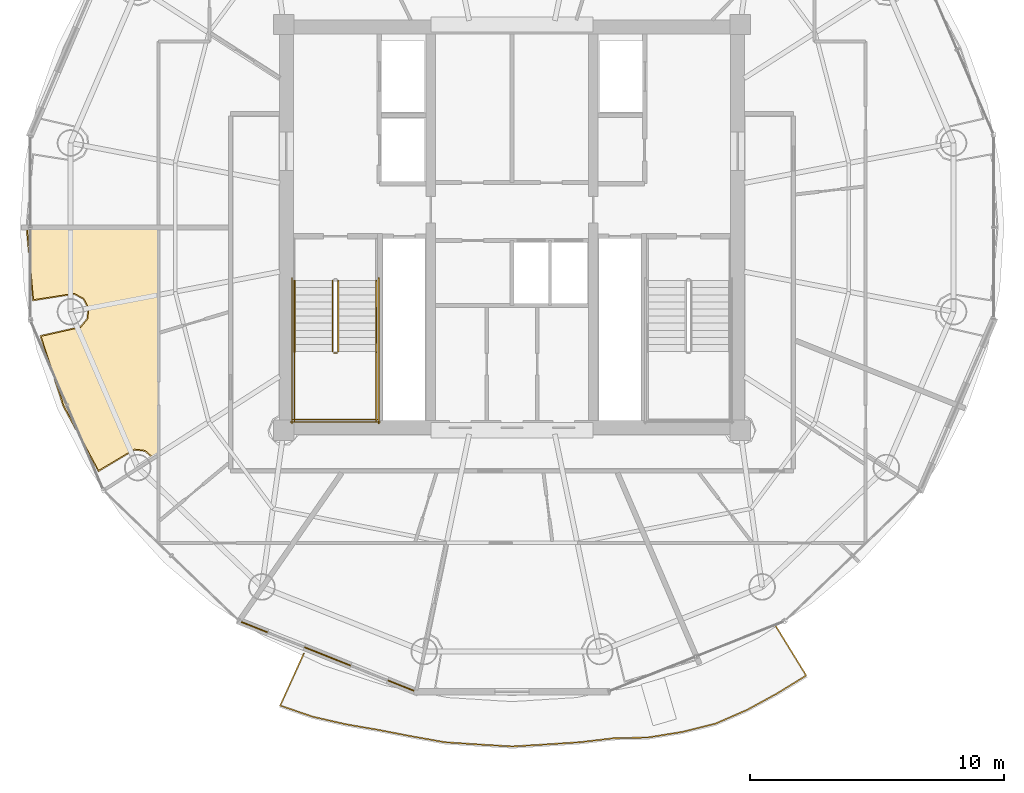
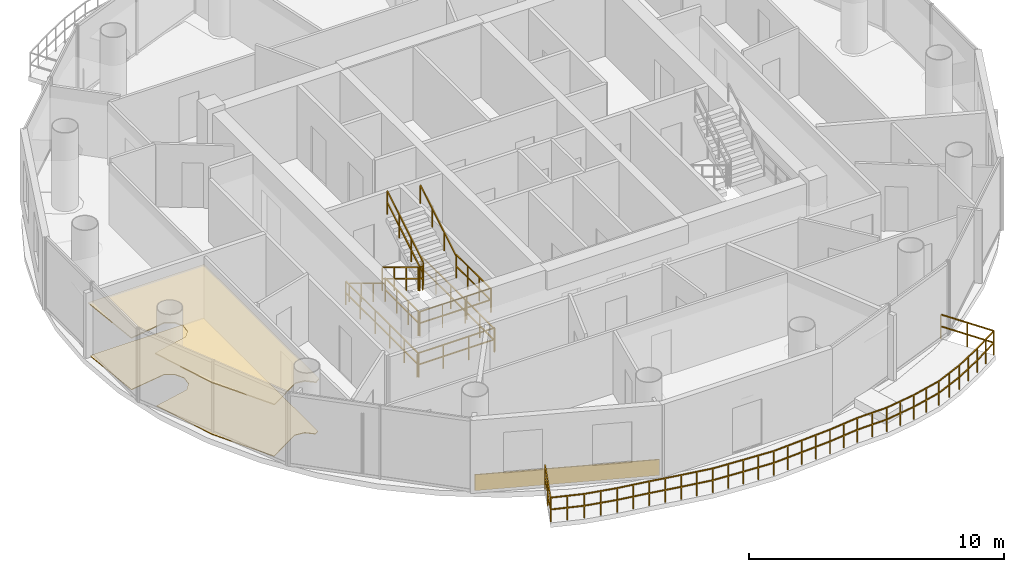
# One storey, part 22 of 24: 12 railings, 3 coverings.
"""IFC4 building model written with IfcOpenShell, lengths in metres."""

from ifc_helpers import new_model, si_unit, direction, frame, origin, origin_2d, place, context, subcontext, project, spatial, polyline, rectangle, outline, extrude, source, transform, mapped, material, layer, layer_set, type_object, element, save


model = new_model("IFC4")

# Units and contexts
model_context = context("Model", 3, precision=1e-05, world=origin(), true_north=direction((-0.2419218956, 0.970295726276)))
body_context = subcontext(model_context, "Body", "Model", "MODEL_VIEW")
ifc_project = project(units=[si_unit("LENGTHUNIT", "METRE"), si_unit("AREAUNIT", "SQUARE_METRE"), si_unit("VOLUMEUNIT", "CUBIC_METRE"), si_unit("PLANEANGLEUNIT", "RADIAN"), si_unit("MASSUNIT", "GRAM", prefix="KILO")], contexts=[model_context])

# Site, building, storey
site_placement = place(None, origin())
site = spatial("IfcSite", under=ifc_project, at=site_placement, CompositionType="ELEMENT")
building_placement = place(site_placement, origin())
building = spatial("IfcBuilding", under=site, at=building_placement, Name="Cobrevalo Terracotta Tower", CompositionType="ELEMENT")
storey_placement = place(building_placement, frame((0.0, 0.0, 274.449951171875)))
storey = spatial("IfcBuildingStorey", under=building, at=storey_placement, Name="L72", CompositionType="ELEMENT", Elevation=274.449951171875)

# Railing
ifc_material_1 = material(Name="Laminated structural glass and stainless steel", Category="steel")
railing_type_1 = type_object("IfcRailingType", Name="Balcony lobe structural glass & terracotta-cap balustrade 1180 mm", PredefinedType="BALUSTRADE", material=ifc_material_1)
railing_1_placement = place(storey_placement, frame((29.791748046875, 9.995849609375, 0.0)))
element("IfcRailing", 1, at=railing_1_placement, inside=storey, type_object=railing_type_1, Name="L72 spiralling balcony lobe balustrade 2", PredefinedType="BALUSTRADE", context=body_context, shape_type="SweptSolid", body=[
    extrude(rectangle(XDim=0.048095703125, YDim=0.048095703125, at=origin_2d()), frame((0.0, 0.0, 1.15576171875), z_axis=(-0.413394695942, -0.91055193447, 0.0), x_axis=(0.91055193447, -0.413394695942, 0.0)), (0.0, 0.0, 1.0), 2.2529296875),
    extrude(rectangle(XDim=0.048095703125, YDim=0.048095703125, at=origin_2d()), frame((0.0, 0.0, 0.58984375), z_axis=(-0.413394695942, -0.91055193447, 0.0), x_axis=(0.91055193447, -0.413394695942, 0.0)), (0.0, 0.0, 1.0), 2.2529296875),
    extrude(rectangle(XDim=0.048095703125, YDim=0.048095703125, at=origin_2d()), frame((-0.931396484375, -2.051513671875, 1.15576171875), z_axis=(0.945511914162, -0.325587500034, 0.0), x_axis=(0.325587500034, 0.945511914162, 0.0)), (0.0, 0.0, 1.0), 1.34375),
    extrude(rectangle(XDim=0.048095703125, YDim=0.048095703125, at=origin_2d()), frame((-0.931396484375, -2.051513671875, 0.58984375), z_axis=(0.945511914162, -0.325587500034, 0.0), x_axis=(0.325587500034, 0.945511914162, 0.0)), (0.0, 0.0, 1.0), 1.34375),
    extrude(rectangle(XDim=0.048095703125, YDim=0.048095703125, at=origin_2d()), frame((0.339111328125, -2.489013671875, 1.15576171875), z_axis=(0.974850628, -0.22285926745, 0.0), x_axis=(0.22285926745, 0.974850628, 0.0)), (0.0, 0.0, 1.0), 1.346435546875),
    extrude(rectangle(XDim=0.048095703125, YDim=0.048095703125, at=origin_2d()), frame((0.339111328125, -2.489013671875, 0.58984375), z_axis=(0.974850628, -0.22285926745, 0.0), x_axis=(0.22285926745, 0.974850628, 0.0)), (0.0, 0.0, 1.0), 1.346435546875),
    extrude(rectangle(XDim=0.048095703125, YDim=0.048095703125, at=origin_2d()), frame((1.651611328125, -2.7890625, 1.15576171875), z_axis=(0.985403050198, -0.170237565362, 0.0), x_axis=(0.170237565362, 0.985403050198, 0.0)), (0.0, 0.0, 1.0), 1.335205078125),
    extrude(rectangle(XDim=0.048095703125, YDim=0.048095703125, at=origin_2d()), frame((1.651611328125, -2.7890625, 0.58984375), z_axis=(0.985403050198, -0.170237565362, 0.0), x_axis=(0.170237565362, 0.985403050198, 0.0)), (0.0, 0.0, 1.0), 1.335205078125),
    extrude(rectangle(XDim=0.048095703125, YDim=0.048095703125, at=origin_2d()), frame((2.96728515625, -3.016357421875, 1.15576171875), z_axis=(0.98177874351, -0.19002762639, 0.0), x_axis=(0.19002762639, 0.98177874351, 0.0)), (0.0, 0.0, 1.0), 1.3271484375),
    extrude(rectangle(XDim=0.048095703125, YDim=0.048095703125, at=origin_2d()), frame((2.96728515625, -3.016357421875, 0.58984375), z_axis=(0.98177874351, -0.19002762639, 0.0), x_axis=(0.19002762639, 0.98177874351, 0.0)), (0.0, 0.0, 1.0), 1.3271484375),
    extrude(rectangle(XDim=0.048095703125, YDim=0.048095703125, at=origin_2d()), frame((4.270263671875, -3.2685546875, 1.15576171875), z_axis=(0.984618157919, -0.174720013438, 0.0), x_axis=(0.174720013438, 0.984618157919, 0.0)), (0.0, 0.0, 1.0), 1.326171875),
    extrude(rectangle(XDim=0.048095703125, YDim=0.048095703125, at=origin_2d()), frame((4.270263671875, -3.2685546875, 0.58984375), z_axis=(0.984618157919, -0.174720013438, 0.0), x_axis=(0.174720013438, 0.984618157919, 0.0)), (0.0, 0.0, 1.0), 1.326171875),
    extrude(rectangle(XDim=0.048095703125, YDim=0.048095703125, at=origin_2d()), frame((5.575927734375, -3.500244140625, 1.15576171875), z_axis=(0.997868933348, -0.065250224966, 0.0), x_axis=(0.065250224966, 0.997868933348, 0.0)), (0.0, 0.0, 1.0), 1.328369140625),
    extrude(rectangle(XDim=0.048095703125, YDim=0.048095703125, at=origin_2d()), frame((5.575927734375, -3.500244140625, 0.58984375), z_axis=(0.997868933348, -0.065250224966, 0.0), x_axis=(0.065250224966, 0.997868933348, 0.0)), (0.0, 0.0, 1.0), 1.328369140625),
    extrude(rectangle(XDim=0.048095703125, YDim=0.048095703125, at=origin_2d()), frame((6.9013671875, -3.5869140625, 1.15576171875), z_axis=(0.99827817547, -0.058657347205, 0.0), x_axis=(0.058657347205, 0.99827817547, 0.0)), (0.0, 0.0, 1.0), 1.32763671875),
    extrude(rectangle(XDim=0.048095703125, YDim=0.048095703125, at=origin_2d()), frame((6.9013671875, -3.5869140625, 0.58984375), z_axis=(0.99827817547, -0.058657347205, 0.0), x_axis=(0.058657347205, 0.99827817547, 0.0)), (0.0, 0.0, 1.0), 1.32763671875),
    extrude(rectangle(XDim=0.048095703125, YDim=0.048095703125, at=origin_2d()), frame((8.226806640625, -3.664794921875, 1.15576171875), z_axis=(0.998169505595, 0.060478410192, 0.0), x_axis=(-0.060478410192, 0.998169505595, 0.0)), (0.0, 0.0, 1.0), 1.328125),
    extrude(rectangle(XDim=0.048095703125, YDim=0.048095703125, at=origin_2d()), frame((8.226806640625, -3.664794921875, 0.58984375), z_axis=(0.998169505595, 0.060478410192, 0.0), x_axis=(-0.060478410192, 0.998169505595, 0.0)), (0.0, 0.0, 1.0), 1.328125),
    extrude(rectangle(XDim=0.048095703125, YDim=0.048095703125, at=origin_2d()), frame((9.552490234375, -3.58447265625, 1.15576171875), z_axis=(0.99785694905, 0.065433242561, 0.0), x_axis=(-0.065433242561, 0.99785694905, 0.0)), (0.0, 0.0, 1.0), 1.328369140625),
    extrude(rectangle(XDim=0.048095703125, YDim=0.048095703125, at=origin_2d()), frame((9.552490234375, -3.58447265625, 0.58984375), z_axis=(0.99785694905, 0.065433242561, 0.0), x_axis=(-0.065433242561, 0.99785694905, 0.0)), (0.0, 0.0, 1.0), 1.328369140625),
    extrude(rectangle(XDim=0.048095703125, YDim=0.048095703125, at=origin_2d()), frame((10.8779296875, -3.49755859375, 1.15576171875), z_axis=(0.993195668318, 0.116457564955, 0.0), x_axis=(-0.116457564955, 0.993195668318, 0.0)), (0.0, 0.0, 1.0), 1.3291015625),
    extrude(rectangle(XDim=0.048095703125, YDim=0.048095703125, at=origin_2d()), frame((10.8779296875, -3.49755859375, 0.58984375), z_axis=(0.993195668318, 0.116457564955, 0.0), x_axis=(-0.116457564955, 0.993195668318, 0.0)), (0.0, 0.0, 1.0), 1.3291015625),
    extrude(rectangle(XDim=0.048095703125, YDim=0.048095703125, at=origin_2d()), frame((12.197998046875, -3.3427734375, 1.15576171875), z_axis=(0.999733166523, 0.02309969165, 0.0), x_axis=(-0.02309969165, 0.999733166523, 0.0)), (0.0, 0.0, 1.0), 1.36328125),
    extrude(rectangle(XDim=0.048095703125, YDim=0.048095703125, at=origin_2d()), frame((12.197998046875, -3.3427734375, 0.58984375), z_axis=(0.999733166523, 0.02309969165, 0.0), x_axis=(-0.02309969165, 0.999733166523, 0.0)), (0.0, 0.0, 1.0), 1.36328125),
    extrude(rectangle(XDim=0.048095703125, YDim=0.048095703125, at=origin_2d()), frame((13.56103515625, -3.311279296875, 1.15576171875), z_axis=(0.987212821804, 0.159407792987, 0.0), x_axis=(-0.159407792987, 0.987212821804, 0.0)), (0.0, 0.0, 1.0), 1.35693359375),
    extrude(rectangle(XDim=0.048095703125, YDim=0.048095703125, at=origin_2d()), frame((13.56103515625, -3.311279296875, 0.58984375), z_axis=(0.987212821804, 0.159407792987, 0.0), x_axis=(-0.159407792987, 0.987212821804, 0.0)), (0.0, 0.0, 1.0), 1.35693359375),
    extrude(rectangle(XDim=0.048095703125, YDim=0.048095703125, at=origin_2d()), frame((14.900634765625, -3.094970703125, 1.15576171875), z_axis=(0.970812580486, 0.239839391197, 0.0), x_axis=(-0.239839391197, 0.970812580486, 0.0)), (0.0, 0.0, 1.0), 1.364013671875),
    extrude(rectangle(XDim=0.048095703125, YDim=0.048095703125, at=origin_2d()), frame((14.900634765625, -3.094970703125, 0.58984375), z_axis=(0.970812580486, 0.239839391197, 0.0), x_axis=(-0.239839391197, 0.970812580486, 0.0)), (0.0, 0.0, 1.0), 1.364013671875),
    extrude(rectangle(XDim=0.048095703125, YDim=0.048095703125, at=origin_2d()), frame((16.224853515625, -2.767822265625, 1.15576171875), z_axis=(0.916783806594, 0.399383840392, 0.0), x_axis=(-0.399383840392, 0.916783806594, 0.0)), (0.0, 0.0, 1.0), 1.357177734375),
    extrude(rectangle(XDim=0.048095703125, YDim=0.048095703125, at=origin_2d()), frame((16.224853515625, -2.767822265625, 0.58984375), z_axis=(0.916783806594, 0.399383840392, 0.0), x_axis=(-0.399383840392, 0.916783806594, 0.0)), (0.0, 0.0, 1.0), 1.357177734375),
    extrude(rectangle(XDim=0.048095703125, YDim=0.048095703125, at=origin_2d()), frame((17.468994140625, -2.225830078125, 1.15576171875), z_axis=(0.877537899171, 0.479507284114, 0.0), x_axis=(-0.479507284114, 0.877537899171, 0.0)), (0.0, 0.0, 1.0), 1.357421875),
    extrude(rectangle(XDim=0.048095703125, YDim=0.048095703125, at=origin_2d()), frame((17.468994140625, -2.225830078125, 0.58984375), z_axis=(0.877537899171, 0.479507284114, 0.0), x_axis=(-0.479507284114, 0.877537899171, 0.0)), (0.0, 0.0, 1.0), 1.357421875),
    extrude(rectangle(XDim=0.048095703125, YDim=0.048095703125, at=origin_2d()), frame((18.66015625, -1.574951171875, 1.15576171875), z_axis=(0.851739091837, 0.523966143406, 0.0), x_axis=(-0.523966143406, 0.851739091837, 0.0)), (0.0, 0.0, 1.0), 1.348876953125),
    extrude(rectangle(XDim=0.048095703125, YDim=0.048095703125, at=origin_2d()), frame((18.66015625, -1.574951171875, 0.58984375), z_axis=(0.851739091837, 0.523966143406, 0.0), x_axis=(-0.523966143406, 0.851739091837, 0.0)), (0.0, 0.0, 1.0), 1.348876953125),
    extrude(rectangle(XDim=0.048095703125, YDim=0.048095703125, at=origin_2d()), frame((19.80908203125, -0.8681640625, 1.15576171875), z_axis=(-0.523918645745, 0.851768309249, 0.0), x_axis=(-0.851768309249, -0.523918645745, 0.0)), (0.0, 0.0, 1.0), 2.362060546875),
    extrude(rectangle(XDim=0.048095703125, YDim=0.048095703125, at=origin_2d()), frame((19.80908203125, -0.8681640625, 0.58984375), z_axis=(-0.523918645745, 0.851768309249, 0.0), x_axis=(-0.851768309249, -0.523918645745, 0.0)), (0.0, 0.0, 1.0), 2.362060546875),
    extrude(rectangle(XDim=0.0419921875, YDim=0.0419921875, at=origin_2d()), origin(), (0.0, 0.0, 1.0), 1.1318359375),
    extrude(rectangle(XDim=0.0419921875, YDim=0.0419921875, at=origin_2d()), frame((-0.4658203125, -1.02587890625, 0.0)), (0.0, 0.0, 1.0), 1.1318359375),
    extrude(rectangle(XDim=0.0419921875, YDim=0.0419921875, at=origin_2d()), frame((-0.931396484375, -2.051513671875, 0.0)), (0.0, 0.0, 1.0), 1.1318359375),
    extrude(rectangle(XDim=0.0419921875, YDim=0.0419921875, at=origin_2d()), frame((-0.296142578125, -2.270263671875, 0.0)), (0.0, 0.0, 1.0), 1.1318359375),
    extrude(rectangle(XDim=0.0419921875, YDim=0.0419921875, at=origin_2d()), frame((0.339111328125, -2.489013671875, 0.0)), (0.0, 0.0, 1.0), 1.1318359375),
    extrude(rectangle(XDim=0.0419921875, YDim=0.0419921875, at=origin_2d()), frame((0.995361328125, -2.63916015625, 0.0)), (0.0, 0.0, 1.0), 1.1318359375),
    extrude(rectangle(XDim=0.0419921875, YDim=0.0419921875, at=origin_2d()), frame((1.651611328125, -2.7890625, 0.0)), (0.0, 0.0, 1.0), 1.1318359375),
    extrude(rectangle(XDim=0.0419921875, YDim=0.0419921875, at=origin_2d()), frame((2.3095703125, -2.90283203125, 0.0)), (0.0, 0.0, 1.0), 1.1318359375),
    extrude(rectangle(XDim=0.0419921875, YDim=0.0419921875, at=origin_2d()), frame((2.96728515625, -3.016357421875, 0.0)), (0.0, 0.0, 1.0), 1.1318359375),
    extrude(rectangle(XDim=0.0419921875, YDim=0.0419921875, at=origin_2d()), frame((3.61865234375, -3.142578125, 0.0)), (0.0, 0.0, 1.0), 1.1318359375),
    extrude(rectangle(XDim=0.0419921875, YDim=0.0419921875, at=origin_2d()), frame((4.270263671875, -3.2685546875, 0.0)), (0.0, 0.0, 1.0), 1.1318359375),
    extrude(rectangle(XDim=0.0419921875, YDim=0.0419921875, at=origin_2d()), frame((4.923095703125, -3.38427734375, 0.0)), (0.0, 0.0, 1.0), 1.1318359375),
    extrude(rectangle(XDim=0.0419921875, YDim=0.0419921875, at=origin_2d()), frame((5.575927734375, -3.500244140625, 0.0)), (0.0, 0.0, 1.0), 1.1318359375),
    extrude(rectangle(XDim=0.0419921875, YDim=0.0419921875, at=origin_2d()), frame((6.23876953125, -3.54345703125, 0.0)), (0.0, 0.0, 1.0), 1.1318359375),
    extrude(rectangle(XDim=0.0419921875, YDim=0.0419921875, at=origin_2d()), frame((6.9013671875, -3.5869140625, 0.0)), (0.0, 0.0, 1.0), 1.1318359375),
    extrude(rectangle(XDim=0.0419921875, YDim=0.0419921875, at=origin_2d()), frame((7.56396484375, -3.6259765625, 0.0)), (0.0, 0.0, 1.0), 1.1318359375),
    extrude(rectangle(XDim=0.0419921875, YDim=0.0419921875, at=origin_2d()), frame((8.226806640625, -3.664794921875, 0.0)), (0.0, 0.0, 1.0), 1.1318359375),
    extrude(rectangle(XDim=0.0419921875, YDim=0.0419921875, at=origin_2d()), frame((8.8896484375, -3.62451171875, 0.0)), (0.0, 0.0, 1.0), 1.1318359375),
    extrude(rectangle(XDim=0.0419921875, YDim=0.0419921875, at=origin_2d()), frame((9.552490234375, -3.58447265625, 0.0)), (0.0, 0.0, 1.0), 1.1318359375),
    extrude(rectangle(XDim=0.0419921875, YDim=0.0419921875, at=origin_2d()), frame((10.21533203125, -3.541015625, 0.0)), (0.0, 0.0, 1.0), 1.1318359375),
    extrude(rectangle(XDim=0.0419921875, YDim=0.0419921875, at=origin_2d()), frame((10.8779296875, -3.49755859375, 0.0)), (0.0, 0.0, 1.0), 1.1318359375),
    extrude(rectangle(XDim=0.0419921875, YDim=0.0419921875, at=origin_2d()), frame((11.5380859375, -3.420166015625, 0.0)), (0.0, 0.0, 1.0), 1.1318359375),
    extrude(rectangle(XDim=0.0419921875, YDim=0.0419921875, at=origin_2d()), frame((12.197998046875, -3.3427734375, 0.0)), (0.0, 0.0, 1.0), 1.1318359375),
    extrude(rectangle(XDim=0.0419921875, YDim=0.0419921875, at=origin_2d()), frame((12.87939453125, -3.3271484375, 0.0)), (0.0, 0.0, 1.0), 1.1318359375),
    extrude(rectangle(XDim=0.0419921875, YDim=0.0419921875, at=origin_2d()), frame((13.56103515625, -3.311279296875, 0.0)), (0.0, 0.0, 1.0), 1.1318359375),
    extrude(rectangle(XDim=0.0419921875, YDim=0.0419921875, at=origin_2d()), frame((14.23095703125, -3.203125, 0.0)), (0.0, 0.0, 1.0), 1.1318359375),
    extrude(rectangle(XDim=0.0419921875, YDim=0.0419921875, at=origin_2d()), frame((14.900634765625, -3.094970703125, 0.0)), (0.0, 0.0, 1.0), 1.1318359375),
    extrude(rectangle(XDim=0.0419921875, YDim=0.0419921875, at=origin_2d()), frame((15.562744140625, -2.931396484375, 0.0)), (0.0, 0.0, 1.0), 1.1318359375),
    extrude(rectangle(XDim=0.0419921875, YDim=0.0419921875, at=origin_2d()), frame((16.224853515625, -2.767822265625, 0.0)), (0.0, 0.0, 1.0), 1.1318359375),
    extrude(rectangle(XDim=0.0419921875, YDim=0.0419921875, at=origin_2d()), frame((16.846923828125, -2.496826171875, 0.0)), (0.0, 0.0, 1.0), 1.1318359375),
    extrude(rectangle(XDim=0.0419921875, YDim=0.0419921875, at=origin_2d()), frame((17.468994140625, -2.225830078125, 0.0)), (0.0, 0.0, 1.0), 1.1318359375),
    extrude(rectangle(XDim=0.0419921875, YDim=0.0419921875, at=origin_2d()), frame((18.064453125, -1.900390625, 0.0)), (0.0, 0.0, 1.0), 1.1318359375),
    extrude(rectangle(XDim=0.0419921875, YDim=0.0419921875, at=origin_2d()), frame((18.66015625, -1.574951171875, 0.0)), (0.0, 0.0, 1.0), 1.1318359375),
    extrude(rectangle(XDim=0.0419921875, YDim=0.0419921875, at=origin_2d()), frame((19.234619140625, -1.2216796875, 0.0)), (0.0, 0.0, 1.0), 1.1318359375),
    extrude(rectangle(XDim=0.0419921875, YDim=0.0419921875, at=origin_2d()), frame((19.80908203125, -0.8681640625, 0.0)), (0.0, 0.0, 1.0), 1.1318359375),
    extrude(rectangle(XDim=0.0419921875, YDim=0.0419921875, at=origin_2d()), frame((19.1904296875, 0.1376953125, 0.0)), (0.0, 0.0, 1.0), 1.1318359375),
    extrude(rectangle(XDim=0.0419921875, YDim=0.0419921875, at=origin_2d()), frame((18.571533203125, 1.143798828125, 0.0)), (0.0, 0.0, 1.0), 1.1318359375),
])

# Coverings
ifc_material_2 = material(Name="Engineered Brazilian hardwood flooring", Category="wood")
ifc_layer_1 = layer(ifc_material_2, 0.028076171875)
ifc_layer_set_1 = layer_set([ifc_layer_1], Name="Engineered Brazilian hardwood flooring")
covering_type_1 = type_object("IfcCoveringType", Name="Engineered Hardwood Suite Flooring 28", PredefinedType="FLOORING", material=ifc_layer_set_1)
covering_1_placement = place(storey_placement, origin())
element("IfcCovering", 2, at=covering_1_placement, inside=storey, type_object=covering_type_1, Name="Flat L72B Living and Dining Room floor finish", PredefinedType="FLOORING", context=body_context, shape_type="SweptSolid", body=[
    extrude(outline(polyline([(20.33544921875, 19.751220703125), (19.43505859375, 22.49951171875), (20.99755859375, 22.855224609375), (21.272705078125, 23.185302734375), (21.318115234375, 23.612548828125), (21.118408203125, 23.9931640625), (20.740966796875, 24.198486328125), (19.1357421875, 23.948974609375), (18.88134765625, 26.780029296875), (24.034912109375, 26.780029296875), (24.034912109375, 17.829345703125), (23.864501953125, 17.719482421875), (23.537109375, 18.005859375), (23.1103515625, 18.055908203125), (21.699951171875, 17.217529296875), (20.33544921875, 19.751220703125)])), origin(), (0.0, 0.0, 1.0), 0.030029296875),
])
ifc_material_3 = material(Name="Acoustic perforated gypsum ceiling", Category="gypsum")
ifc_layer_2 = layer(ifc_material_3, 0.050048828125)
ifc_layer_set_2 = layer_set([ifc_layer_2], Name="Acoustic perforated gypsum ceiling")
covering_type_2 = type_object("IfcCoveringType", Name="Perforated Acoustic Gypsum Ceiling 50", PredefinedType="CEILING", material=ifc_layer_set_2)
covering_2_placement = place(storey_placement, frame((0.0, 0.0, 2.5)))
element("IfcCovering", 3, at=covering_2_placement, inside=storey, type_object=covering_type_2, Name="Flat L72B Living and Dining Room acoustic ceiling", PredefinedType="CEILING", context=body_context, shape_type="SweptSolid", body=[
    extrude(outline(polyline([(20.2939453125, 19.7333984375), (19.3818359375, 22.53515625), (20.97265625, 22.89306640625), (21.23095703125, 23.202880859375), (21.273681640625, 23.60400390625), (21.086181640625, 23.96142578125), (20.731689453125, 24.154296875), (19.100830078125, 23.896484375), (18.833251953125, 26.824951171875), (24.080078125, 26.824951171875), (24.080078125, 17.804931640625), (23.853271484375, 17.658935546875), (23.51904296875, 17.964599609375), (23.118408203125, 18.011474609375), (21.687744140625, 17.15625), (20.2939453125, 19.7333984375)])), origin(), (0.0, 0.0, 1.0), 0.050048828125),
])

# Railings
ifc_material_4 = material(Name="Brushed stainless steel", Category="steel")
railing_type_2 = type_object("IfcRailingType", Name="Stainless Steel Stair Handrail 900", PredefinedType="HANDRAIL", material=ifc_material_4)
railing_2_placement = place(storey_placement, frame((29.425048828125, 24.699951171875, 0.17041015625)))
element("IfcRailing", 4, at=railing_2_placement, inside=storey, type_object=railing_type_2, Name="L72 ST-1 stair handrail 1", PredefinedType="HANDRAIL", context=body_context, shape_type="SweptSolid", body=[
    extrude(rectangle(XDim=0.048095703125, YDim=0.048095703125, at=origin_2d()), frame((0.0, 0.0, 0.8759765625), z_axis=(0.0, -0.854169791009, 0.51999420009), x_axis=(1.0, 0.0, 0.0)), (0.0, 0.0, 1.0), 3.278076171875),
    extrude(rectangle(XDim=0.0419921875, YDim=0.0419921875, at=origin_2d()), origin(), (0.0, 0.0, 1.0), 0.851806640625),
    extrude(rectangle(XDim=0.0419921875, YDim=0.0419921875, at=origin_2d()), frame((0.0, -0.933349609375, 0.568115234375)), (0.0, 0.0, 1.0), 0.851806640625),
    extrude(rectangle(XDim=0.0419921875, YDim=0.0419921875, at=origin_2d()), frame((0.0, -1.86669921875, 1.136474609375)), (0.0, 0.0, 1.0), 0.851806640625),
    extrude(rectangle(XDim=0.0419921875, YDim=0.0419921875, at=origin_2d()), frame((0.0, -2.800048828125, 1.70458984375)), (0.0, 0.0, 1.0), 0.851806640625),
])
railing_3_placement = place(storey_placement, frame((32.64501953125, 21.89990234375, 2.04541015625)))
element("IfcRailing", 5, at=railing_3_placement, inside=storey, type_object=railing_type_2, Name="L72 ST-1 stair handrail 2", PredefinedType="HANDRAIL", context=body_context, shape_type="SweptSolid", body=[
    extrude(rectangle(XDim=0.048095703125, YDim=0.048095703125, at=origin_2d()), frame((0.0, 0.0, 0.8759765625), z_axis=(0.0, 0.854169791009, 0.51999420009), x_axis=(-1.0, 0.0, 0.0)), (0.0, 0.0, 1.0), 3.278076171875),
    extrude(rectangle(XDim=0.0419921875, YDim=0.0419921875, at=origin_2d()), origin(), (0.0, 0.0, 1.0), 0.851806640625),
    extrude(rectangle(XDim=0.0419921875, YDim=0.0419921875, at=origin_2d()), frame((0.0, 0.933349609375, 0.568115234375)), (0.0, 0.0, 1.0), 0.851806640625),
    extrude(rectangle(XDim=0.0419921875, YDim=0.0419921875, at=origin_2d()), frame((0.0, 1.86669921875, 1.136474609375)), (0.0, 0.0, 1.0), 0.851806640625),
    extrude(rectangle(XDim=0.0419921875, YDim=0.0419921875, at=origin_2d()), frame((0.0, 2.800048828125, 1.70458984375)), (0.0, 0.0, 1.0), 0.851806640625),
])
ifc_material_5 = material(Name="Painted galvanized steel", Category="steel")
railing_type_3 = type_object("IfcRailingType", Name="Stair Well Guard Balustrade 1150", PredefinedType="GUARDRAIL", material=ifc_material_5)
railing_4_placement = place(storey_placement, frame((30.925048828125, 24.699951171875, 0.17041015625)))
element("IfcRailing", 6, at=railing_4_placement, inside=storey, type_object=railing_type_3, Name="L72 ST-1 stair guard 1", PredefinedType="GUARDRAIL", context=body_context, shape_type="SweptSolid", body=[
    extrude(rectangle(XDim=0.048095703125, YDim=0.048095703125, at=origin_2d()), frame((0.0, 0.0, 1.1259765625), z_axis=(0.0, -0.854169791009, 0.51999420009), x_axis=(1.0, 0.0, 0.0)), (0.0, 0.0, 1.0), 3.278076171875),
    extrude(rectangle(XDim=0.048095703125, YDim=0.048095703125, at=origin_2d()), frame((0.0, 0.0, 0.574951171875), z_axis=(0.0, -0.854169791009, 0.51999420009), x_axis=(1.0, 0.0, 0.0)), (0.0, 0.0, 1.0), 3.278076171875),
    extrude(rectangle(XDim=0.0419921875, YDim=0.0419921875, at=origin_2d()), origin(), (0.0, 0.0, 1.0), 1.101806640625),
    extrude(rectangle(XDim=0.0419921875, YDim=0.0419921875, at=origin_2d()), frame((0.0, -0.933349609375, 0.568115234375)), (0.0, 0.0, 1.0), 1.101806640625),
    extrude(rectangle(XDim=0.0419921875, YDim=0.0419921875, at=origin_2d()), frame((0.0, -1.86669921875, 1.136474609375)), (0.0, 0.0, 1.0), 1.101806640625),
    extrude(rectangle(XDim=0.0419921875, YDim=0.0419921875, at=origin_2d()), frame((0.0, -2.800048828125, 1.70458984375)), (0.0, 0.0, 1.0), 1.101806640625),
])
railing_5_placement = place(storey_placement, frame((30.97509765625, 21.85009765625, 1.875)))
element("IfcRailing", 7, at=railing_5_placement, inside=storey, type_object=railing_type_3, Name="L72 ST-1 stair guard 2", PredefinedType="GUARDRAIL", context=body_context, shape_type="SweptSolid", body=[
    extrude(rectangle(XDim=0.048095703125, YDim=0.048095703125, at=origin_2d()), frame((0.0, 0.0, 1.1259765625), z_axis=(1.0, 0.0, 0.0), x_axis=(0.0, 1.0, 0.0)), (0.0, 0.0, 1.0), 0.119873046875),
    extrude(rectangle(XDim=0.048095703125, YDim=0.048095703125, at=origin_2d()), frame((0.0, 0.0, 0.574951171875), z_axis=(1.0, 0.0, 0.0), x_axis=(0.0, 1.0, 0.0)), (0.0, 0.0, 1.0), 0.119873046875),
    extrude(rectangle(XDim=0.0419921875, YDim=0.0419921875, at=origin_2d()), origin(), (0.0, 0.0, 1.0), 1.101806640625),
    extrude(rectangle(XDim=0.0419921875, YDim=0.0419921875, at=origin_2d()), frame((0.119873046875, 0.0, 0.0)), (0.0, 0.0, 1.0), 1.101806640625),
])
for number, where, name in (
    (8, (29.425048828125, 21.89990234375, 1.875), "L72 ST-1 stair guard 3"),
    (9, (32.64501953125, 21.89990234375, 1.875), "L72 ST-1 stair guard 4"),
):
    element("IfcRailing", number, at=place(storey_placement, frame(where)), inside=storey, type_object=railing_type_3, Name=name, PredefinedType="GUARDRAIL", context=body_context, shape_type="SweptSolid", body=[
        extrude(rectangle(XDim=0.048095703125, YDim=0.048095703125, at=origin_2d()), frame((0.0, 0.0, 1.1259765625), z_axis=(0.0, -1.0, 0.0), x_axis=(1.0, 0.0, 0.0)), (0.0, 0.0, 1.0), 2.724853515625),
        extrude(rectangle(XDim=0.048095703125, YDim=0.048095703125, at=origin_2d()), frame((0.0, 0.0, 0.574951171875), z_axis=(0.0, -1.0, 0.0), x_axis=(1.0, 0.0, 0.0)), (0.0, 0.0, 1.0), 2.724853515625),
        extrude(rectangle(XDim=0.0419921875, YDim=0.0419921875, at=origin_2d()), origin(), (0.0, 0.0, 1.0), 1.101806640625),
        extrude(rectangle(XDim=0.0419921875, YDim=0.0419921875, at=origin_2d()), frame((0.0, -0.908203125, 0.0)), (0.0, 0.0, 1.0), 1.101806640625),
        extrude(rectangle(XDim=0.0419921875, YDim=0.0419921875, at=origin_2d()), frame((0.0, -1.816650390625, 0.0)), (0.0, 0.0, 1.0), 1.101806640625),
        extrude(rectangle(XDim=0.0419921875, YDim=0.0419921875, at=origin_2d()), frame((0.0, -2.724853515625, 0.0)), (0.0, 0.0, 1.0), 1.101806640625),
    ])
railing_6_placement = place(storey_placement, frame((29.375, 19.22509765625, 1.875)))
element("IfcRailing", 10, at=railing_6_placement, inside=storey, type_object=railing_type_3, Name="L72 ST-1 stair guard 5", PredefinedType="GUARDRAIL", context=body_context, shape_type="SweptSolid", body=[
    extrude(rectangle(XDim=0.048095703125, YDim=0.048095703125, at=origin_2d()), frame((0.0, 0.0, 1.1259765625), z_axis=(1.0, 0.0, 0.0), x_axis=(0.0, 1.0, 0.0)), (0.0, 0.0, 1.0), 3.320068359375),
    extrude(rectangle(XDim=0.048095703125, YDim=0.048095703125, at=origin_2d()), frame((0.0, 0.0, 0.574951171875), z_axis=(1.0, 0.0, 0.0), x_axis=(0.0, 1.0, 0.0)), (0.0, 0.0, 1.0), 3.320068359375),
    extrude(rectangle(XDim=0.0419921875, YDim=0.0419921875, at=origin_2d()), origin(), (0.0, 0.0, 1.0), 1.101806640625),
    extrude(rectangle(XDim=0.0419921875, YDim=0.0419921875, at=origin_2d()), frame((1.106689453125, 0.0, 0.0)), (0.0, 0.0, 1.0), 1.101806640625),
    extrude(rectangle(XDim=0.0419921875, YDim=0.0419921875, at=origin_2d()), frame((2.21337890625, 0.0, 0.0)), (0.0, 0.0, 1.0), 1.101806640625),
    extrude(rectangle(XDim=0.0419921875, YDim=0.0419921875, at=origin_2d()), frame((3.320068359375, 0.0, 0.0)), (0.0, 0.0, 1.0), 1.101806640625),
])
railing_7_placement = place(storey_placement, frame((31.14501953125, 21.89990234375, 2.04541015625)))
element("IfcRailing", 11, at=railing_7_placement, inside=storey, type_object=railing_type_3, Name="L72 ST-1 stair guard 6", PredefinedType="GUARDRAIL", context=body_context, shape_type="SweptSolid", body=[
    extrude(rectangle(XDim=0.048095703125, YDim=0.048095703125, at=origin_2d()), frame((0.0, 0.0, 1.1259765625), z_axis=(0.0, 0.854169791009, 0.51999420009), x_axis=(-1.0, 0.0, 0.0)), (0.0, 0.0, 1.0), 3.278076171875),
    extrude(rectangle(XDim=0.048095703125, YDim=0.048095703125, at=origin_2d()), frame((0.0, 0.0, 0.574951171875), z_axis=(0.0, 0.854169791009, 0.51999420009), x_axis=(-1.0, 0.0, 0.0)), (0.0, 0.0, 1.0), 3.278076171875),
    extrude(rectangle(XDim=0.0419921875, YDim=0.0419921875, at=origin_2d()), origin(), (0.0, 0.0, 1.0), 1.101806640625),
    extrude(rectangle(XDim=0.0419921875, YDim=0.0419921875, at=origin_2d()), frame((0.0, 0.933349609375, 0.568115234375)), (0.0, 0.0, 1.0), 1.101806640625),
    extrude(rectangle(XDim=0.0419921875, YDim=0.0419921875, at=origin_2d()), frame((0.0, 1.86669921875, 1.136474609375)), (0.0, 0.0, 1.0), 1.101806640625),
    extrude(rectangle(XDim=0.0419921875, YDim=0.0419921875, at=origin_2d()), frame((0.0, 2.800048828125, 1.70458984375)), (0.0, 0.0, 1.0), 1.101806640625),
])
for number, where, name in (
    (12, (29.324951171875, 24.800048828125, 0.0), "L72 ST-1 stair guard 10"),
    (13, (32.7451171875, 24.800048828125, 0.0), "L72 ST-1 stair guard 11"),
):
    element("IfcRailing", number, at=place(storey_placement, frame(where)), inside=storey, type_object=railing_type_3, Name=name, PredefinedType="GUARDRAIL", context=body_context, shape_type="SweptSolid", body=[
        extrude(rectangle(XDim=0.048095703125, YDim=0.048095703125, at=origin_2d()), frame((0.0, 0.0, 1.1259765625), z_axis=(0.0, -1.0, 0.0), x_axis=(1.0, 0.0, 0.0)), (0.0, 0.0, 1.0), 5.72509765625),
        extrude(rectangle(XDim=0.048095703125, YDim=0.048095703125, at=origin_2d()), frame((0.0, 0.0, 0.574951171875), z_axis=(0.0, -1.0, 0.0), x_axis=(1.0, 0.0, 0.0)), (0.0, 0.0, 1.0), 5.72509765625),
        extrude(rectangle(XDim=0.0419921875, YDim=0.0419921875, at=origin_2d()), origin(), (0.0, 0.0, 1.0), 1.101806640625),
        extrude(rectangle(XDim=0.0419921875, YDim=0.0419921875, at=origin_2d()), frame((0.0, -1.14501953125, 0.0)), (0.0, 0.0, 1.0), 1.101806640625),
        extrude(rectangle(XDim=0.0419921875, YDim=0.0419921875, at=origin_2d()), frame((0.0, -2.2900390625, 0.0)), (0.0, 0.0, 1.0), 1.101806640625),
        extrude(rectangle(XDim=0.0419921875, YDim=0.0419921875, at=origin_2d()), frame((0.0, -3.43505859375, 0.0)), (0.0, 0.0, 1.0), 1.101806640625),
        extrude(rectangle(XDim=0.0419921875, YDim=0.0419921875, at=origin_2d()), frame((0.0, -4.580078125, 0.0)), (0.0, 0.0, 1.0), 1.101806640625),
        extrude(rectangle(XDim=0.0419921875, YDim=0.0419921875, at=origin_2d()), frame((0.0, -5.72509765625, 0.0)), (0.0, 0.0, 1.0), 1.101806640625),
    ])
railing_8_placement = place(storey_placement, frame((29.27490234375, 19.125, 0.0)))
element("IfcRailing", 14, at=railing_8_placement, inside=storey, type_object=railing_type_3, Name="L72 ST-1 stair guard 12", PredefinedType="GUARDRAIL", context=body_context, shape_type="SweptSolid", body=[
    extrude(rectangle(XDim=0.048095703125, YDim=0.048095703125, at=origin_2d()), frame((0.0, 0.0, 1.1259765625), z_axis=(1.0, 0.0, 0.0), x_axis=(0.0, 1.0, 0.0)), (0.0, 0.0, 1.0), 3.52001953125),
    extrude(rectangle(XDim=0.048095703125, YDim=0.048095703125, at=origin_2d()), frame((0.0, 0.0, 0.574951171875), z_axis=(1.0, 0.0, 0.0), x_axis=(0.0, 1.0, 0.0)), (0.0, 0.0, 1.0), 3.52001953125),
    extrude(rectangle(XDim=0.0419921875, YDim=0.0419921875, at=origin_2d()), origin(), (0.0, 0.0, 1.0), 1.101806640625),
    extrude(rectangle(XDim=0.0419921875, YDim=0.0419921875, at=origin_2d()), frame((1.17333984375, 0.0, 0.0)), (0.0, 0.0, 1.0), 1.101806640625),
    extrude(rectangle(XDim=0.0419921875, YDim=0.0419921875, at=origin_2d()), frame((2.3466796875, 0.0, 0.0)), (0.0, 0.0, 1.0), 1.101806640625),
    extrude(rectangle(XDim=0.0419921875, YDim=0.0419921875, at=origin_2d()), frame((3.52001953125, 0.0, 0.0)), (0.0, 0.0, 1.0), 1.101806640625),
])

# Covering
ifc_material_6 = material(Name="Glazed terracotta facade cladding tile", Category="masonry")
ifc_layer_3 = layer(ifc_material_6, 0.044921875)
ifc_layer_set_3 = layer_set([ifc_layer_3], Name="Glazed terracotta facade cladding tile")
covering_type_3 = type_object("IfcCoveringType", Name="Architectural terracotta rainscreen spandrel cladding 45 mm", PredefinedType="CLADDING", material=ifc_layer_set_3)
shared_shape = source(origin(), body_context, "Body", "SweptSolid", [
    extrude(rectangle(XDim=7.318359375, YDim=0.044921875, at=origin_2d()), origin(), (0.0, 0.0, 1.0), 0.760009765625),
])
covering_3_placement = place(storey_placement, frame((30.729736328125, 9.882568359375, 0.0400390625), z_axis=(0.0, 0.0, 1.0), x_axis=(0.92871833374, -0.370785998353, 0.0)))
element("IfcCovering", 15, at=covering_3_placement, inside=storey, type_object=covering_type_3, Name="L72 terracotta spandrel cladding S11", PredefinedType="CLADDING", context=body_context, shape_type="MappedRepresentation", body=[
    mapped(shared_shape, transform((0.0, 0.0, 0.0), scale=1.0)),
])

save(model, "model.ifc")
